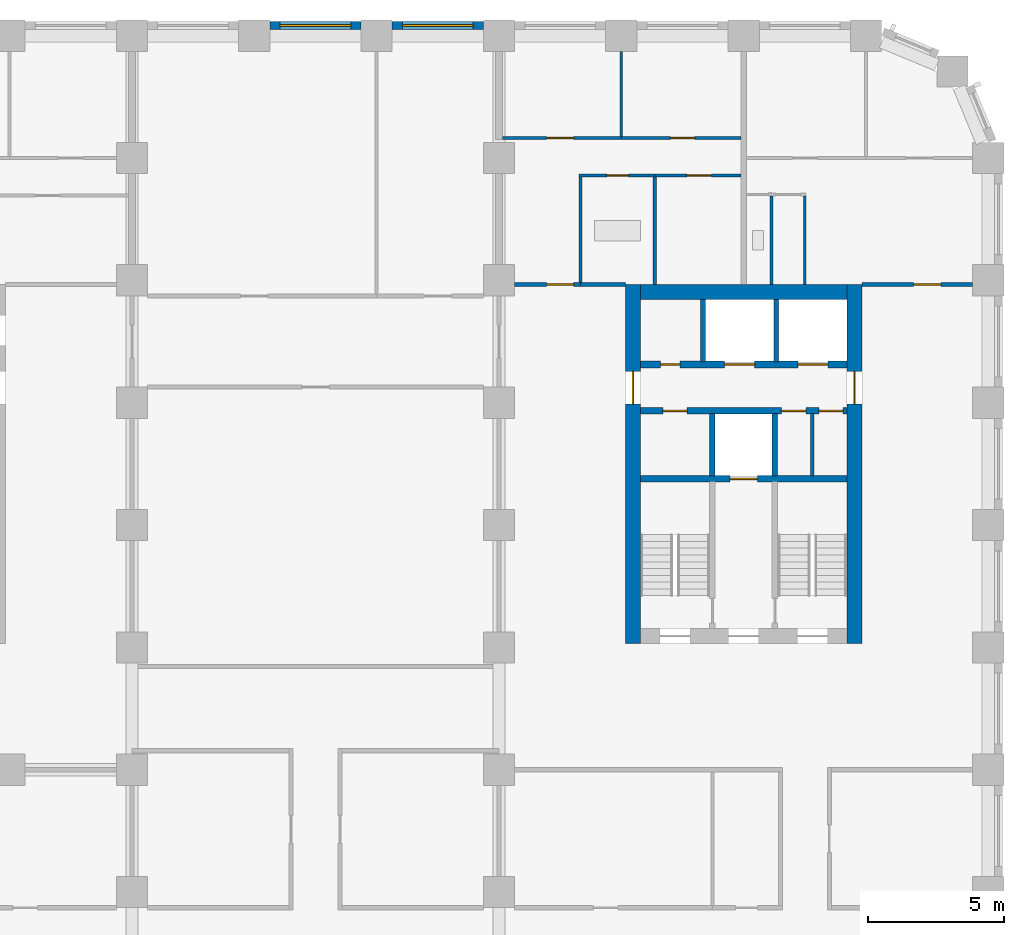
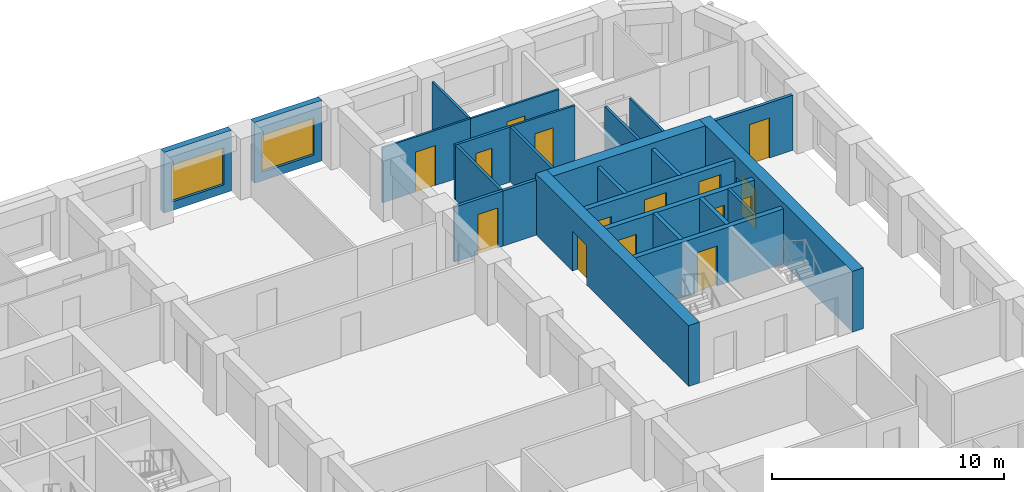
# One storey, part 8 of 12: 25 walls, 15 doors, 2 windows, 17 openings.
"""IFC4 building model written with IfcOpenShell, lengths in metres."""

import ifcopenshell
import ifcopenshell.guid

model = None  # the IFC model being written
_history = None  # IfcOwnerHistory: only IFC2X3 demands one
_inside = {}  # id of a spatial element -> (the spatial element, [elements in it])
_under = {}  # id of a project, library or spatial element -> (it, [spatial elements below it])
_declared = {}  # id of a project -> (the project, [libraries it declares])
_typed = {}  # id of a type object -> (the type object, [elements of that type])
_made_of = {}  # id of a material, layer set ... -> (it, [elements and type objects made of it])


def new_model(schema):
    """Start an empty IFC model of exactly this schema.

    Asked for "IFC4X3", IfcOpenShell would pick the latest addendum, in which some entities
    have other attributes; the version numbers below select the first issue.
    IFC2X3 requires an IfcOwnerHistory on every rooted entity: one is made here for all.
    """
    global model, _history
    if schema == "IFC4X3":
        model = ifcopenshell.file(schema_version=(4, 3, 0, 0))
    else:
        model = ifcopenshell.file(schema=schema)
    _inside.clear()
    _under.clear()
    _declared.clear()
    _typed.clear()
    _made_of.clear()
    _history = None
    if model.schema == "IFC2X3":
        org = make("IfcOrganization", Name="unknown")
        user = make(
            "IfcPersonAndOrganization",
            ThePerson=make("IfcPerson", FamilyName="unknown"),
            TheOrganization=org,
        )
        app = make(
            "IfcApplication",
            ApplicationDeveloper=org,
            Version="unknown",
            ApplicationFullName="unknown",
            ApplicationIdentifier="unknown",
        )
        _history = make(
            "IfcOwnerHistory",
            OwningUser=user,
            OwningApplication=app,
            ChangeAction="ADDED",
            CreationDate=0,
        )
    return model


def make(cls, **values):
    """One entity of the class cls with the attributes given. An attribute that is None is left unset."""
    return model.create_entity(
        cls, **{name: value for name, value in values.items() if value is not None}
    )


def rooted(cls, **values):
    """An entity with a GlobalId (a new one), such as an element, a storey or a relation."""
    return make(cls, GlobalId=ifcopenshell.guid.new(), OwnerHistory=_history, **values)


def si_unit(unit_type, name, prefix=None):
    """IfcSIUnit, for example si_unit("LENGTHUNIT", "METRE", prefix="MILLI")."""
    return make("IfcSIUnit", UnitType=unit_type, Prefix=prefix, Name=name)


def assignment(units):
    """IfcUnitAssignment: the units of a project."""
    return None if units is None else make("IfcUnitAssignment", Units=units)


def point(xyz):
    """IfcCartesianPoint."""
    return None if xyz is None else make("IfcCartesianPoint", Coordinates=xyz)


def direction(xyz):
    """IfcDirection."""
    return None if xyz is None else make("IfcDirection", DirectionRatios=xyz)


def frame(location, z_axis=None, x_axis=None):
    """IfcAxis2Placement3D, a coordinate frame: its origin and axes. An axis left out is left unset."""
    return make(
        "IfcAxis2Placement3D",
        Location=point(location),
        Axis=direction(z_axis),
        RefDirection=direction(x_axis),
    )


def frame_2d(location, x_axis=None):
    """IfcAxis2Placement2D, a coordinate frame in the plane: its origin and x axis."""
    return make(
        "IfcAxis2Placement2D", Location=point(location), RefDirection=direction(x_axis)
    )


def origin():
    """The frame at (0, 0, 0) with its axes left unset."""
    return frame((0.0, 0.0, 0.0))


def place(relative_to, where):
    """IfcLocalPlacement: puts the frame where relative to a parent placement (None: the world)."""
    return make(
        "IfcLocalPlacement", PlacementRelTo=relative_to, RelativePlacement=where
    )


def context(
    kind, dimensions, precision=None, world=None, true_north=None, identifier=None
):
    """IfcGeometricRepresentationContext, for example the 3D "Model" context."""
    return make(
        "IfcGeometricRepresentationContext",
        ContextIdentifier=identifier,
        ContextType=kind,
        CoordinateSpaceDimension=dimensions,
        Precision=precision,
        WorldCoordinateSystem=world,
        TrueNorth=true_north,
    )


def subcontext(parent, identifier, kind, view, scale=None):
    """IfcGeometricRepresentationSubContext, for example "Body" below "Model"."""
    return make(
        "IfcGeometricRepresentationSubContext",
        ContextIdentifier=identifier,
        ContextType=kind,
        ParentContext=parent,
        TargetScale=scale,
        TargetView=view,
    )


def project(units=None, contexts=None):
    """IfcProject with its units and contexts."""
    return rooted(
        "IfcProject",
        Name="project",
        RepresentationContexts=contexts,
        UnitsInContext=assignment(units),
    )


def spatial(cls, under=None, at=None, **own):
    """A site, building, storey or space (cls), placed at a placement, below another one or the project."""
    s = rooted(cls, ObjectPlacement=at, **own)
    if under is not None:
        _under.setdefault(under.id(), (under, []))[1].append(s)
    return s


def profile(cls, at=None, kind="AREA", **sizes):
    """A parametric profile (cls). Its sizes go by their IFC names, for example OverallWidth=200.0."""
    return make(cls, ProfileType=kind, Position=at, **sizes)


def rectangle(**sizes):
    """IfcRectangleProfileDef."""
    return profile("IfcRectangleProfileDef", **sizes)


def extrude(swept, where, along, depth):
    """IfcExtrudedAreaSolid: the profile swept, set in the frame where, extruded along a direction by depth."""
    return make(
        "IfcExtrudedAreaSolid",
        SweptArea=swept,
        Position=where,
        ExtrudedDirection=direction(along),
        Depth=depth,
    )


def shape(context_of_items, identifier, shape_type, items):
    """IfcShapeRepresentation: the items that make up one representation, for example the "Body"."""
    return make(
        "IfcShapeRepresentation",
        ContextOfItems=context_of_items,
        RepresentationIdentifier=identifier,
        RepresentationType=shape_type,
        Items=items,
    )


def material(Name=None, Category=None):
    """IfcMaterial."""
    return make("IfcMaterial", Name=Name, Category=Category)


def layer(
    of_material, thickness, ventilated=None, Name=None, Category=None, Priority=None
):
    """IfcMaterialLayer: one layer of a wall or slab, of a material (None: an air gap)."""
    return make(
        "IfcMaterialLayer",
        Material=of_material,
        LayerThickness=thickness,
        IsVentilated=ventilated,
        Name=Name,
        Category=Category,
        Priority=Priority,
    )


def layer_set(layers, Name=None):
    """IfcMaterialLayerSet."""
    return make("IfcMaterialLayerSet", MaterialLayers=layers, LayerSetName=Name)


def made_of(thing, what):
    """Note that an element or type object is made of a material, layer set ...; save() writes the relation."""
    if what is not None:
        _made_of.setdefault(what.id(), (what, []))[1].append(thing)
    return thing


def type_object(cls, material=None, **own):
    """A type object (cls), such as IfcWallType, which elements share."""
    return made_of(rooted(cls, **own), material)


def element(
    cls,
    number,
    at=None,
    inside=None,
    cuts=None,
    type_object=None,
    material=None,
    context=None,
    identifier="Body",
    shape_type=None,
    held_by="IfcProductDefinitionShape",
    body=None,
    shapes=None,
    **own,
):
    """One element of the class cls, such as IfcWall. Its Tag is "e" and its number.

    at: its placement. inside: the storey or other place that contains it. cuts: it is an
    opening in that element (IfcRelVoidsElement). A single representation is given by context,
    identifier, shape_type and body (its items); several are given by shapes. held_by: the class
    of the entity that holds the representations. save() writes the other relations.
    """
    e = rooted(cls, Tag="e%d" % number, ObjectPlacement=at, **own)
    if body is not None:
        shapes = [shape(context, identifier, shape_type, body)]
    if shapes is not None:
        e.Representation = make(held_by, Representations=shapes)
    if inside is not None:
        _inside.setdefault(inside.id(), (inside, []))[1].append(e)
    if cuts is not None:
        rooted(
            "IfcRelVoidsElement", RelatingBuildingElement=cuts, RelatedOpeningElement=e
        )
    if type_object is not None:
        _typed.setdefault(type_object.id(), (type_object, []))[1].append(e)
    return made_of(e, material)


def fill(opening, filler):
    """IfcRelFillsElement: the door or window that sits in an opening."""
    return rooted(
        "IfcRelFillsElement",
        RelatingOpeningElement=opening,
        RelatedBuildingElement=filler,
    )


def aggregate(whole, parts):
    """IfcRelAggregates: a whole, such as a stair, and the parts it consists of."""
    return rooted("IfcRelAggregates", RelatingObject=whole, RelatedObjects=parts)


def save(model, path):
    """Write the relations noted so far, then the file.

    IfcRelAggregates (storeys below a building ...), IfcRelContainedInSpatialStructure (elements
    in a storey), IfcRelDefinesByType, IfcRelAssociatesMaterial and IfcRelDeclares: one each for
    every whole, place, type object, material and project.
    """
    for whole, parts in _under.values():
        aggregate(whole, parts)
    for where, things in _inside.values():
        rooted(
            "IfcRelContainedInSpatialStructure",
            RelatedElements=things,
            RelatingStructure=where,
        )
    for kind, things in _typed.values():
        rooted("IfcRelDefinesByType", RelatedObjects=things, RelatingType=kind)
    for what, things in _made_of.values():
        rooted("IfcRelAssociatesMaterial", RelatedObjects=things, RelatingMaterial=what)
    for by, libraries in _declared.values():
        rooted("IfcRelDeclares", RelatingContext=by, RelatedDefinitions=libraries)
    model.write(path)


model = new_model("IFC4")

# Units and contexts
model_context = context("Model", 3, precision=1e-05, world=origin(), true_north=direction((0.0, 1.0)))
body_context = subcontext(model_context, "Body", "Model", "MODEL_VIEW")
ifc_project = project(units=[si_unit("LENGTHUNIT", "METRE"), si_unit("AREAUNIT", "SQUARE_METRE"), si_unit("VOLUMEUNIT", "CUBIC_METRE"), si_unit("PLANEANGLEUNIT", "RADIAN"), si_unit("MASSUNIT", "GRAM", prefix="KILO")], contexts=[model_context])

# Site, building, storey
site_placement = place(None, origin())
site = spatial("IfcSite", under=ifc_project, at=site_placement, CompositionType="ELEMENT")
building_placement = place(site_placement, origin())
building = spatial("IfcBuilding", under=site, at=building_placement, Name="Girih Gate Residences", CompositionType="ELEMENT")
storey_placement = place(building_placement, frame((0.0, 0.0, 108.800048828125)))
storey = spatial("IfcBuildingStorey", under=building, at=storey_placement, Name="L30", CompositionType="ELEMENT", Elevation=108.800048828125)

# Wall, opening, door
ifc_material_1 = material(Name="Gypsum board on steel studs", Category="steel")
ifc_layer_1 = layer(ifc_material_1, 0.14990234375)
ifc_layer_set_1 = layer_set([ifc_layer_1], Name="Compartment wall 150 mm")
wall_type_1 = type_object("IfcWallType", Name="Compartment wall 150 mm", PredefinedType="PARTITIONING", material=ifc_layer_set_1)
wall_1_placement = place(storey_placement, frame((44.85009765625, 40.35009765625, 0.0), z_axis=(0.0, 0.0, 1.0), x_axis=(1.0, 0.0, 0.0)))
wall_1 = element("IfcWall", 1, at=wall_1_placement, inside=storey, type_object=wall_type_1, Name="L30 partition", PredefinedType="PARTITIONING", context=body_context, shape_type="SweptSolid", body=[
    extrude(rectangle(XDim=4.074951171875, YDim=0.14990234375, at=frame_2d((2.03759765625, 0.0))), origin(), (0.0, 0.0, 1.0), 2.89990234375),
])
opening_1_placement = place(wall_1_placement, frame((1.89990234375, 0.0, 0.0)))
opening_1 = element("IfcOpeningElement", 2, at=opening_1_placement, cuts=wall_1, Name="Opening A30-033", PredefinedType="OPENING", context=body_context, shape_type="SweptSolid", body=[
    extrude(rectangle(XDim=1.0, YDim=2.10009765625, at=frame_2d((0.5, 1.050048828125))), frame((0.0, 0.0849609375, 0.0), z_axis=(0.0, -1.0, 0.0), x_axis=(1.0, 0.0, 0.0)), (0.0, 0.0, 1.0), 0.169921875),
])
ifc_material_2 = material(Name="Timber, fire-rated core", Category="wood")
door_type_1 = type_object("IfcDoorType", Name="Flat entrance door 1000x2100 FD30S", OperationType="NOTDEFINED", PredefinedType="DOOR", material=ifc_material_2)
door_1_placement = place(opening_1_placement, origin())
door_1 = element("IfcDoor", 3, at=door_1_placement, inside=storey, type_object=door_type_1, Name="Door A30-033", OperationType="SINGLE_SWING_RIGHT", OverallHeight=2.10009765625, OverallWidth=1.0, PredefinedType="DOOR", context=body_context, shape_type="SweptSolid", body=[
    extrude(rectangle(XDim=1.0, YDim=2.10009765625, at=frame_2d((0.5, 1.050048828125))), frame((0.0, 0.02490234375, 0.0), z_axis=(0.0, -1.0, 0.0), x_axis=(1.0, 0.0, 0.0)), (0.0, 0.0, 1.0), 0.050048828125),
])
fill(opening_1, door_1)

# Wall
wall_2_placement = place(storey_placement, frame((34.5, 40.35009765625, 0.0), z_axis=(0.0, 0.0, 1.0), x_axis=(1.0, 0.0, 0.0)))
element("IfcWall", 4, at=wall_2_placement, inside=storey, type_object=wall_type_1, Name="L30 partition", PredefinedType="PARTITIONING", context=body_context, shape_type="SweptSolid", body=[
    extrude(rectangle(XDim=1.64990234375, YDim=0.14990234375, at=frame_2d((0.824951171875, 0.0))), origin(), (0.0, 0.0, 1.0), 2.89990234375),
])

# Wall, opening, door
wall_3_placement = place(storey_placement, frame((32.074951171875, 40.35009765625, 0.0), z_axis=(0.0, 0.0, 1.0), x_axis=(1.0, 0.0, 0.0)))
wall_3 = element("IfcWall", 5, at=wall_3_placement, inside=storey, type_object=wall_type_1, Name="L30 partition", PredefinedType="PARTITIONING", context=body_context, shape_type="SweptSolid", body=[
    extrude(rectangle(XDim=2.425048828125, YDim=0.14990234375, at=frame_2d((1.21240234375, 0.0))), origin(), (0.0, 0.0, 1.0), 2.89990234375),
])
opening_2_placement = place(wall_3_placement, frame((1.175048828125, 0.0, 0.0)))
opening_2 = element("IfcOpeningElement", 6, at=opening_2_placement, cuts=wall_3, Name="Opening A30-038", PredefinedType="OPENING", context=body_context, shape_type="SweptSolid", body=[
    extrude(rectangle(XDim=1.0, YDim=2.10009765625, at=frame_2d((0.5, 1.050048828125))), frame((0.0, 0.0849609375, 0.0), z_axis=(0.0, -1.0, 0.0), x_axis=(1.0, 0.0, 0.0)), (0.0, 0.0, 1.0), 0.169921875),
])
door_2_placement = place(opening_2_placement, origin())
door_2 = element("IfcDoor", 7, at=door_2_placement, inside=storey, type_object=door_type_1, Name="Door A30-038", OperationType="SINGLE_SWING_RIGHT", OverallHeight=2.10009765625, OverallWidth=1.0, PredefinedType="DOOR", context=body_context, shape_type="SweptSolid", body=[
    extrude(rectangle(XDim=1.0, YDim=2.10009765625, at=frame_2d((0.5, 1.050048828125))), frame((0.0, 0.02490234375, 0.0), z_axis=(0.0, -1.0, 0.0), x_axis=(1.0, 0.0, 0.0)), (0.0, 0.0, 1.0), 0.050048828125),
])
fill(opening_2, door_2)

# Wall
ifc_material_3 = material(Name="Concrete C60/75", Category="concrete")
ifc_layer_2 = layer(ifc_material_3, 0.550048828125)
ifc_layer_set_2 = layer_set([ifc_layer_2], Name="Core wall RC 550 Concrete C60/75")
wall_type_2 = type_object("IfcWallType", Name="Core wall RC 550 Concrete C60/75", PredefinedType="SOLIDWALL", material=ifc_layer_set_2)
wall_4_placement = place(storey_placement, frame((36.699951171875, 40.074951171875, 0.0), z_axis=(0.0, 0.0, 1.0), x_axis=(1.0, 0.0, 0.0)))
element("IfcWall", 8, at=wall_4_placement, inside=storey, type_object=wall_type_2, Name="Core wall E-N L30", PredefinedType="SOLIDWALL", context=body_context, shape_type="SweptSolid", body=[
    extrude(rectangle(XDim=7.60009765625, YDim=0.550048828125, at=frame_2d((3.800048828125, 0.0))), origin(), (0.0, 0.0, 1.0), 3.199951171875),
])

# Wall, opening, door
wall_5_placement = place(storey_placement, frame((36.425048828125, 27.14990234375, 0.0), z_axis=(0.0, 0.0, 1.0), x_axis=(0.0, 1.0, 0.0)))
wall_5 = element("IfcWall", 9, at=wall_5_placement, inside=storey, type_object=wall_type_2, Name="Core wall E-W L30", PredefinedType="SOLIDWALL", context=body_context, shape_type="SweptSolid", body=[
    extrude(rectangle(XDim=13.2001953125, YDim=0.550048828125, at=frame_2d((6.60009765625, 0.0))), origin(), (0.0, 0.0, 1.0), 3.199951171875),
])
opening_3_placement = place(wall_5_placement, frame((8.800048828125, 0.0, 0.0)))
opening_3 = element("IfcOpeningElement", 10, at=opening_3_placement, cuts=wall_5, Name="Opening D-L30-E-013", PredefinedType="OPENING", context=body_context, shape_type="SweptSolid", body=[
    extrude(rectangle(XDim=1.199951171875, YDim=2.10009765625, at=frame_2d((0.60009765625, 1.050048828125))), frame((0.0, 0.284912109375, 0.0), z_axis=(0.0, -1.0, 0.0), x_axis=(1.0, 0.0, 0.0)), (0.0, 0.0, 1.0), 0.570068359375),
])
ifc_material_4 = material(Name="Painted steel, fire-resisting", Category="steel")
door_type_2 = type_object("IfcDoorType", Name="Fire door 1200x2100", OperationType="SINGLE_SWING_LEFT", PredefinedType="DOOR", material=ifc_material_4)
door_3_placement = place(opening_3_placement, origin())
door_3 = element("IfcDoor", 11, at=door_3_placement, inside=storey, type_object=door_type_2, Name="L30 E core door ll-w", OperationType="SINGLE_SWING_LEFT", OverallHeight=2.10009765625, OverallWidth=1.199951171875, PredefinedType="DOOR", context=body_context, shape_type="SweptSolid", body=[
    extrude(rectangle(XDim=1.199951171875, YDim=2.10009765625, at=frame_2d((0.60009765625, 1.050048828125))), frame((0.0, 0.02490234375, 0.0), z_axis=(0.0, -1.0, 0.0), x_axis=(1.0, 0.0, 0.0)), (0.0, 0.0, 1.0), 0.050048828125),
])
fill(opening_3, door_3)

wall_6_placement = place(storey_placement, frame((44.574951171875, 27.14990234375, 0.0), z_axis=(0.0, 0.0, 1.0), x_axis=(0.0, 1.0, 0.0)))
wall_6 = element("IfcWall", 12, at=wall_6_placement, inside=storey, type_object=wall_type_2, Name="Core wall E-E L30", PredefinedType="SOLIDWALL", context=body_context, shape_type="SweptSolid", body=[
    extrude(rectangle(XDim=13.2001953125, YDim=0.550048828125, at=frame_2d((6.60009765625, 0.0))), origin(), (0.0, 0.0, 1.0), 3.199951171875),
])
opening_4_placement = place(wall_6_placement, frame((8.800048828125, 0.0, 0.0)))
opening_4 = element("IfcOpeningElement", 13, at=opening_4_placement, cuts=wall_6, Name="Opening D-L30-E-014", PredefinedType="OPENING", context=body_context, shape_type="SweptSolid", body=[
    extrude(rectangle(XDim=1.199951171875, YDim=2.10009765625, at=frame_2d((0.60009765625, 1.050048828125))), frame((0.0, 0.284912109375, 0.0), z_axis=(0.0, -1.0, 0.0), x_axis=(1.0, 0.0, 0.0)), (0.0, 0.0, 1.0), 0.570068359375),
])
door_4_placement = place(opening_4_placement, origin())
door_4 = element("IfcDoor", 14, at=door_4_placement, inside=storey, type_object=door_type_2, Name="L30 E core door ll-e", OperationType="SINGLE_SWING_LEFT", OverallHeight=2.10009765625, OverallWidth=1.199951171875, PredefinedType="DOOR", context=body_context, shape_type="SweptSolid", body=[
    extrude(rectangle(XDim=1.199951171875, YDim=2.10009765625, at=frame_2d((0.60009765625, 1.050048828125))), frame((0.0, 0.02490234375, 0.0), z_axis=(0.0, -1.0, 0.0), x_axis=(1.0, 0.0, 0.0)), (0.0, 0.0, 1.0), 0.050048828125),
])
fill(opening_4, door_4)

ifc_material_5 = material(Name="Concrete C40/50", Category="concrete")
ifc_layer_3 = layer(ifc_material_5, 0.25)
ifc_layer_set_3 = layer_set([ifc_layer_3], Name="Lift shaft wall 250")
wall_type_3 = type_object("IfcWallType", Name="Lift shaft wall 250", PredefinedType="SOLIDWALL", material=ifc_layer_set_3)
wall_7_placement = place(storey_placement, frame((36.699951171875, 33.199951171875, 0.0), z_axis=(0.0, 0.0, 1.0), x_axis=(1.0, 0.0, 0.0)))
wall_7 = element("IfcWall", 15, at=wall_7_placement, inside=storey, type_object=wall_type_3, Name="L30 E core wall H1", PredefinedType="SOLIDWALL", context=body_context, shape_type="SweptSolid", body=[
    extrude(rectangle(XDim=7.60009765625, YDim=0.25, at=frame_2d((3.800048828125, 0.0))), origin(), (0.0, 0.0, 1.0), 2.89990234375),
])
opening_5_placement = place(wall_7_placement, frame((3.300048828125, 0.0, 0.0)))
opening_5 = element("IfcOpeningElement", 16, at=opening_5_placement, cuts=wall_7, Name="Opening D-L30-E-005", PredefinedType="OPENING", context=body_context, shape_type="SweptSolid", body=[
    extrude(rectangle(XDim=1.0, YDim=2.10009765625, at=frame_2d((0.5, 1.050048828125))), frame((0.0, 0.135009765625, 0.0), z_axis=(0.0, -1.0, 0.0), x_axis=(1.0, 0.0, 0.0)), (0.0, 0.0, 1.0), 0.27001953125),
])
ifc_material_6 = material(Name="Stainless steel, fire-resisting", Category="steel")
door_type_3 = type_object("IfcDoorType", Name="Firefighting lift landing door 1000x2100", OperationType="SLIDING_TO_LEFT", PredefinedType="DOOR", material=ifc_material_6)
door_5_placement = place(opening_5_placement, origin())
door_5 = element("IfcDoor", 17, at=door_5_placement, inside=storey, type_object=door_type_3, Name="L30 lift FF-E landing door", OperationType="SLIDING_TO_LEFT", OverallHeight=2.10009765625, OverallWidth=1.0, PredefinedType="DOOR", context=body_context, shape_type="SweptSolid", body=[
    extrude(rectangle(XDim=1.0, YDim=2.10009765625, at=frame_2d((0.5, 1.050048828125))), frame((0.0, 0.02490234375, 0.0), z_axis=(0.0, -1.0, 0.0), x_axis=(1.0, 0.0, 0.0)), (0.0, 0.0, 1.0), 0.050048828125),
])
fill(opening_5, door_5)

# Wall, openings, doors
wall_8_placement = place(storey_placement, frame((36.699951171875, 35.699951171875, 0.0), z_axis=(0.0, 0.0, 1.0), x_axis=(1.0, 0.0, 0.0)))
wall_8 = element("IfcWall", 18, at=wall_8_placement, inside=storey, type_object=wall_type_3, Name="L30 E core wall H2", PredefinedType="SOLIDWALL", context=body_context, shape_type="SweptSolid", body=[
    extrude(rectangle(XDim=7.60009765625, YDim=0.25, at=frame_2d((3.800048828125, 0.0))), origin(), (0.0, 0.0, 1.0), 2.89990234375),
])
opening_6_placement = place(wall_8_placement, frame((6.5625, 0.0, 0.0)))
opening_6 = element("IfcOpeningElement", 19, at=opening_6_placement, cuts=wall_8, Name="Opening D-L30-E-007", PredefinedType="OPENING", context=body_context, shape_type="SweptSolid", body=[
    extrude(rectangle(XDim=0.89990234375, YDim=2.10009765625, at=frame_2d((0.449951171875, 1.050048828125))), frame((0.0, 0.135009765625, 0.0), z_axis=(0.0, -1.0, 0.0), x_axis=(1.0, 0.0, 0.0)), (0.0, 0.0, 1.0), 0.27001953125),
])
opening_7_placement = place(wall_8_placement, frame((5.1875, 0.0, 0.0)))
opening_7 = element("IfcOpeningElement", 20, at=opening_7_placement, cuts=wall_8, Name="Opening D-L30-E-008", PredefinedType="OPENING", context=body_context, shape_type="SweptSolid", body=[
    extrude(rectangle(XDim=0.89990234375, YDim=2.10009765625, at=frame_2d((0.449951171875, 1.050048828125))), frame((0.0, 0.135009765625, 0.0), z_axis=(0.0, -1.0, 0.0), x_axis=(1.0, 0.0, 0.0)), (0.0, 0.0, 1.0), 0.27001953125),
])
opening_8_placement = place(wall_8_placement, frame((0.824951171875, 0.0, 0.0)))
opening_8 = element("IfcOpeningElement", 21, at=opening_8_placement, cuts=wall_8, Name="Opening D-L30-E-009", PredefinedType="OPENING", context=body_context, shape_type="SweptSolid", body=[
    extrude(rectangle(XDim=0.89990234375, YDim=2.10009765625, at=frame_2d((0.449951171875, 1.050048828125))), frame((0.0, 0.135009765625, 0.0), z_axis=(0.0, -1.0, 0.0), x_axis=(1.0, 0.0, 0.0)), (0.0, 0.0, 1.0), 0.27001953125),
])
door_type_4 = type_object("IfcDoorType", Name="Fire door 900x2100", OperationType="SINGLE_SWING_LEFT", PredefinedType="DOOR", material=ifc_material_4)
door_6_placement = place(opening_6_placement, origin())
door_6 = element("IfcDoor", 22, at=door_6_placement, inside=storey, type_object=door_type_4, Name="L30 E linen store door", OperationType="SINGLE_SWING_LEFT", OverallHeight=2.10009765625, OverallWidth=0.89990234375, PredefinedType="DOOR", context=body_context, shape_type="SweptSolid", body=[
    extrude(rectangle(XDim=0.89990234375, YDim=2.10009765625, at=frame_2d((0.449951171875, 1.050048828125))), frame((0.0, 0.02490234375, 0.0), z_axis=(0.0, -1.0, 0.0), x_axis=(1.0, 0.0, 0.0)), (0.0, 0.0, 1.0), 0.050048828125),
])
fill(opening_6, door_6)
door_7_placement = place(opening_7_placement, origin())
door_7 = element("IfcDoor", 23, at=door_7_placement, inside=storey, type_object=door_type_4, Name="L30 E store door", OperationType="SINGLE_SWING_LEFT", OverallHeight=2.10009765625, OverallWidth=0.89990234375, PredefinedType="DOOR", context=body_context, shape_type="SweptSolid", body=[
    extrude(rectangle(XDim=0.89990234375, YDim=2.10009765625, at=frame_2d((0.449951171875, 1.050048828125))), frame((0.0, 0.02490234375, 0.0), z_axis=(0.0, -1.0, 0.0), x_axis=(1.0, 0.0, 0.0)), (0.0, 0.0, 1.0), 0.050048828125),
])
fill(opening_7, door_7)
door_8_placement = place(opening_8_placement, origin())
door_8 = element("IfcDoor", 24, at=door_8_placement, inside=storey, type_object=door_type_4, Name="L30 E housekeeping store door", OperationType="SINGLE_SWING_LEFT", OverallHeight=2.10009765625, OverallWidth=0.89990234375, PredefinedType="DOOR", context=body_context, shape_type="SweptSolid", body=[
    extrude(rectangle(XDim=0.89990234375, YDim=2.10009765625, at=frame_2d((0.449951171875, 1.050048828125))), frame((0.0, 0.02490234375, 0.0), z_axis=(0.0, -1.0, 0.0), x_axis=(1.0, 0.0, 0.0)), (0.0, 0.0, 1.0), 0.050048828125),
])
fill(opening_8, door_8)

wall_9_placement = place(storey_placement, frame((36.699951171875, 37.39990234375, 0.0), z_axis=(0.0, 0.0, 1.0), x_axis=(1.0, 0.0, 0.0)))
wall_9 = element("IfcWall", 25, at=wall_9_placement, inside=storey, type_object=wall_type_3, Name="L30 E core wall H3", PredefinedType="SOLIDWALL", context=body_context, shape_type="SweptSolid", body=[
    extrude(rectangle(XDim=7.60009765625, YDim=0.25, at=frame_2d((3.800048828125, 0.0))), origin(), (0.0, 0.0, 1.0), 2.89990234375),
])
opening_9_placement = place(wall_9_placement, frame((5.800048828125, 0.0, 0.0)))
opening_9 = element("IfcOpeningElement", 26, at=opening_9_placement, cuts=wall_9, Name="Opening D-L30-E-003", PredefinedType="OPENING", context=body_context, shape_type="SweptSolid", body=[
    extrude(rectangle(XDim=1.10009765625, YDim=2.39990234375, at=frame_2d((0.550048828125, 1.199951171875))), frame((0.0, 0.135009765625, 0.0), z_axis=(0.0, -1.0, 0.0), x_axis=(1.0, 0.0, 0.0)), (0.0, 0.0, 1.0), 0.27001953125),
])
opening_10_placement = place(wall_9_placement, frame((3.10009765625, 0.0, 0.0)))
opening_10 = element("IfcOpeningElement", 27, at=opening_10_placement, cuts=wall_9, Name="Opening D-L30-E-004", PredefinedType="OPENING", context=body_context, shape_type="SweptSolid", body=[
    extrude(rectangle(XDim=1.10009765625, YDim=2.39990234375, at=frame_2d((0.550048828125, 1.199951171875))), frame((0.0, 0.135009765625, 0.0), z_axis=(0.0, -1.0, 0.0), x_axis=(1.0, 0.0, 0.0)), (0.0, 0.0, 1.0), 0.27001953125),
])
opening_11_placement = place(wall_9_placement, frame((0.75, 0.0, 0.0)))
opening_11 = element("IfcOpeningElement", 28, at=opening_11_placement, cuts=wall_9, Name="Opening D-L30-E-006", PredefinedType="OPENING", context=body_context, shape_type="SweptSolid", body=[
    extrude(rectangle(XDim=0.699951171875, YDim=2.10009765625, at=frame_2d((0.35009765625, 1.050048828125))), frame((0.0, 0.135009765625, 0.0), z_axis=(0.0, -1.0, 0.0), x_axis=(1.0, 0.0, 0.0)), (0.0, 0.0, 1.0), 0.27001953125),
])
ifc_material_7 = material(Name="Stainless steel", Category="steel")
door_type_5 = type_object("IfcDoorType", Name="Lift landing door 1100x2400", OperationType="SLIDING_TO_LEFT", PredefinedType="DOOR", material=ifc_material_7)
door_9_placement = place(opening_9_placement, origin())
door_9 = element("IfcDoor", 29, at=door_9_placement, inside=storey, type_object=door_type_5, Name="L30 lift LR-E1 landing door", OperationType="SLIDING_TO_LEFT", OverallHeight=2.39990234375, OverallWidth=1.10009765625, PredefinedType="DOOR", context=body_context, shape_type="SweptSolid", body=[
    extrude(rectangle(XDim=1.10009765625, YDim=2.39990234375, at=frame_2d((0.550048828125, 1.199951171875))), frame((0.0, 0.02490234375, 0.0), z_axis=(0.0, -1.0, 0.0), x_axis=(1.0, 0.0, 0.0)), (0.0, 0.0, 1.0), 0.050048828125),
])
fill(opening_9, door_9)
door_10_placement = place(opening_10_placement, origin())
door_10 = element("IfcDoor", 30, at=door_10_placement, inside=storey, type_object=door_type_5, Name="L30 lift LR-E2 landing door", OperationType="SLIDING_TO_LEFT", OverallHeight=2.39990234375, OverallWidth=1.10009765625, PredefinedType="DOOR", context=body_context, shape_type="SweptSolid", body=[
    extrude(rectangle(XDim=1.10009765625, YDim=2.39990234375, at=frame_2d((0.550048828125, 1.199951171875))), frame((0.0, 0.02490234375, 0.0), z_axis=(0.0, -1.0, 0.0), x_axis=(1.0, 0.0, 0.0)), (0.0, 0.0, 1.0), 0.050048828125),
])
fill(opening_10, door_10)
door_type_6 = type_object("IfcDoorType", Name="Riser access door 700x2100", OperationType="SINGLE_SWING_LEFT", PredefinedType="DOOR", material=ifc_material_4)
door_11_placement = place(opening_11_placement, origin())
door_11 = element("IfcDoor", 31, at=door_11_placement, inside=storey, type_object=door_type_6, Name="L30 E riser room door", OperationType="SINGLE_SWING_LEFT", OverallHeight=2.10009765625, OverallWidth=0.699951171875, PredefinedType="DOOR", context=body_context, shape_type="SweptSolid", body=[
    extrude(rectangle(XDim=0.699951171875, YDim=2.10009765625, at=frame_2d((0.35009765625, 1.050048828125))), frame((0.0, 0.02490234375, 0.0), z_axis=(0.0, -1.0, 0.0), x_axis=(1.0, 0.0, 0.0)), (0.0, 0.0, 1.0), 0.050048828125),
])
fill(opening_11, door_11)

# Wall
ifc_layer_4 = layer(ifc_material_1, 0.10009765625)
ifc_layer_set_4 = layer_set([ifc_layer_4], Name="Partition 100 mm")
wall_type_4 = type_object("IfcWallType", Name="Partition 100 mm", PredefinedType="PARTITIONING", material=ifc_layer_set_4)
wall_10_placement = place(storey_placement, frame((42.75, 40.35009765625, 0.0), z_axis=(0.0, 0.0, 1.0), x_axis=(0.0, 1.0, 0.0)))
element("IfcWall", 32, at=wall_10_placement, inside=storey, type_object=wall_type_4, Name="L30 partition", PredefinedType="PARTITIONING", context=body_context, shape_type="SweptSolid", body=[
    extrude(rectangle(XDim=3.260009765625, YDim=0.10009765625, at=frame_2d((1.6298828125, 0.0))), origin(), (0.0, 0.0, 1.0), 2.89990234375),
])

# Wall, opening, door
wall_11_placement = place(storey_placement, frame((36.0, 45.735107421875, 0.0), z_axis=(0.0, 0.0, 1.0), x_axis=(1.0, 0.0, 0.0)))
wall_11 = element("IfcWall", 33, at=wall_11_placement, inside=storey, type_object=wall_type_4, Name="L30 partition", PredefinedType="PARTITIONING", context=body_context, shape_type="SweptSolid", body=[
    extrude(rectangle(XDim=4.39990234375, YDim=0.10009765625, at=frame_2d((2.199951171875, 0.0))), origin(), (0.0, 0.0, 1.0), 2.89990234375),
])
opening_12_placement = place(wall_11_placement, frame((1.800048828125, 0.0, 0.0)))
opening_12 = element("IfcOpeningElement", 34, at=opening_12_placement, cuts=wall_11, Name="Opening A30-035", PredefinedType="OPENING", context=body_context, shape_type="SweptSolid", body=[
    extrude(rectangle(XDim=0.89990234375, YDim=2.10009765625, at=frame_2d((0.449951171875, 1.050048828125))), frame((0.0, 0.06005859375, 0.0), z_axis=(0.0, -1.0, 0.0), x_axis=(1.0, 0.0, 0.0)), (0.0, 0.0, 1.0), 0.1201171875),
])
ifc_material_8 = material(Name="Timber", Category="wood")
door_type_7 = type_object("IfcDoorType", Name="Bedroom door 900x2100", OperationType="NOTDEFINED", PredefinedType="DOOR", material=ifc_material_8)
door_12_placement = place(opening_12_placement, origin())
door_12 = element("IfcDoor", 35, at=door_12_placement, inside=storey, type_object=door_type_7, Name="Door A30-035", OperationType="SINGLE_SWING_RIGHT", OverallHeight=2.10009765625, OverallWidth=0.89990234375, PredefinedType="DOOR", context=body_context, shape_type="SweptSolid", body=[
    extrude(rectangle(XDim=0.89990234375, YDim=2.10009765625, at=frame_2d((0.449951171875, 1.050048828125))), frame((0.0, 0.02490234375, 0.0), z_axis=(0.0, -1.0, 0.0), x_axis=(1.0, 0.0, 0.0)), (0.0, 0.0, 1.0), 0.050048828125),
])
fill(opening_12, door_12)

# Wall
wall_12_placement = place(storey_placement, frame((36.0, 45.784912109375, 0.0), z_axis=(0.0, 0.0, 1.0), x_axis=(0.0, 1.0, 0.0)))
element("IfcWall", 36, at=wall_12_placement, inside=storey, type_object=wall_type_4, Name="L30 partition", PredefinedType="PARTITIONING", context=body_context, shape_type="SweptSolid", body=[
    extrude(rectangle(XDim=3.14013671875, YDim=0.10009765625, at=frame_2d((1.570068359375, 0.0))), origin(), (0.0, 0.0, 1.0), 2.89990234375),
])

# Wall, opening, door
wall_13_placement = place(storey_placement, frame((40.39990234375, 44.35498046875, 0.0), z_axis=(0.0, 0.0, 1.0), x_axis=(-1.0, 0.0, 0.0)))
wall_13 = element("IfcWall", 37, at=wall_13_placement, inside=storey, type_object=wall_type_4, Name="L30 partition", PredefinedType="PARTITIONING", context=body_context, shape_type="SweptSolid", body=[
    extrude(rectangle(XDim=3.16845703125, YDim=0.10009765625, at=frame_2d((1.584228515625, 0.0))), origin(), (0.0, 0.0, 1.0), 2.89990234375),
])
opening_13_placement = place(wall_13_placement, frame((1.084228515625, 0.0, 0.0)))
opening_13 = element("IfcOpeningElement", 38, at=opening_13_placement, cuts=wall_13, Name="Opening A30-036", PredefinedType="OPENING", context=body_context, shape_type="SweptSolid", body=[
    extrude(rectangle(XDim=0.89990234375, YDim=2.10009765625, at=frame_2d((0.449951171875, 1.050048828125))), frame((0.0, 0.06005859375, 0.0), z_axis=(0.0, -1.0, 0.0), x_axis=(1.0, 0.0, 0.0)), (0.0, 0.0, 1.0), 0.1201171875),
])
door_type_8 = type_object("IfcDoorType", Name="Kitchen door 900x2100", OperationType="NOTDEFINED", PredefinedType="DOOR", material=ifc_material_8)
door_13_placement = place(opening_13_placement, origin())
door_13 = element("IfcDoor", 39, at=door_13_placement, inside=storey, type_object=door_type_8, Name="Door A30-036", OperationType="SINGLE_SWING_LEFT", OverallHeight=2.10009765625, OverallWidth=0.89990234375, PredefinedType="DOOR", context=body_context, shape_type="SweptSolid", body=[
    extrude(rectangle(XDim=0.89990234375, YDim=2.10009765625, at=frame_2d((0.449951171875, 1.050048828125))), frame((0.0, 0.02490234375, 0.0), z_axis=(0.0, -1.0, 0.0), x_axis=(1.0, 0.0, 0.0)), (0.0, 0.0, 1.0), 0.050048828125),
])
fill(opening_13, door_13)

wall_14_placement = place(storey_placement, frame((31.625, 45.735107421875, 0.0), z_axis=(0.0, 0.0, 1.0), x_axis=(1.0, 0.0, 0.0)))
wall_14 = element("IfcWall", 40, at=wall_14_placement, inside=storey, type_object=wall_type_4, Name="L30 partition", PredefinedType="PARTITIONING", context=body_context, shape_type="SweptSolid", body=[
    extrude(rectangle(XDim=4.375, YDim=0.10009765625, at=frame_2d((2.1875, 0.0))), origin(), (0.0, 0.0, 1.0), 2.89990234375),
])
opening_14_placement = place(wall_14_placement, frame((1.625, 0.0, 0.0)))
opening_14 = element("IfcOpeningElement", 41, at=opening_14_placement, cuts=wall_14, Name="Opening A30-037", PredefinedType="OPENING", context=body_context, shape_type="SweptSolid", body=[
    extrude(rectangle(XDim=1.0, YDim=2.10009765625, at=frame_2d((0.5, 1.050048828125))), frame((0.0, 0.06005859375, 0.0), z_axis=(0.0, -1.0, 0.0), x_axis=(1.0, 0.0, 0.0)), (0.0, 0.0, 1.0), 0.1201171875),
])
door_type_9 = type_object("IfcDoorType", Name="Living room door 1000x2100", OperationType="NOTDEFINED", PredefinedType="DOOR", material=ifc_material_8)
door_14_placement = place(opening_14_placement, origin())
door_14 = element("IfcDoor", 42, at=door_14_placement, inside=storey, type_object=door_type_9, Name="Door A30-037", OperationType="SINGLE_SWING_LEFT", OverallHeight=2.10009765625, OverallWidth=1.0, PredefinedType="DOOR", context=body_context, shape_type="SweptSolid", body=[
    extrude(rectangle(XDim=1.0, YDim=2.10009765625, at=frame_2d((0.5, 1.050048828125))), frame((0.0, 0.02490234375, 0.0), z_axis=(0.0, -1.0, 0.0), x_axis=(1.0, 0.0, 0.0)), (0.0, 0.0, 1.0), 0.050048828125),
])
fill(opening_14, door_14)

# Wall, opening, window
ifc_material_9 = material(Name="Precast concrete C50/60", Category="concrete")
ifc_layer_5 = layer(ifc_material_9, 0.080078125, Name="Outer leaf")
ifc_material_10 = material(Name="Rigid PIR insulation")
ifc_layer_6 = layer(ifc_material_10, 0.14990234375, Name="Insulation")
ifc_material_11 = material(Name="Precast concrete C40/50", Category="concrete")
ifc_layer_7 = layer(ifc_material_11, 0.070068359375, Name="Inner leaf")
ifc_layer_set_5 = layer_set([ifc_layer_5, ifc_layer_6, ifc_layer_7], Name="Precast concrete C50/60 external wall 300")
wall_type_5 = type_object("IfcWallType", Name="Precast concrete C50/60 external wall 300", PredefinedType="SOLIDWALL", material=ifc_layer_set_5)
wall_15_placement = place(storey_placement, frame((27.574951171875, 49.875, 0.0), z_axis=(0.0, 0.0, 1.0), x_axis=(1.0, 0.0, 0.0)))
wall_15 = element("IfcWall", 43, at=wall_15_placement, inside=storey, type_object=wall_type_5, Name="External wall N0450_0495.3", PredefinedType="SOLIDWALL", context=body_context, shape_type="SweptSolid", body=[
    extrude(rectangle(XDim=3.35009765625, YDim=0.300048828125, at=frame_2d((1.675048828125, 0.0))), origin(), (0.0, 0.0, 1.0), 3.199951171875),
])
opening_15_placement = place(wall_15_placement, frame((0.375, 0.0, 0.449951171875)))
opening_15 = element("IfcOpeningElement", 44, at=opening_15_placement, cuts=wall_15, Name="Opening W-1A", PredefinedType="OPENING", context=body_context, shape_type="SweptSolid", body=[
    extrude(rectangle(XDim=2.60009765625, YDim=1.949951171875, at=frame_2d((1.300048828125, 0.97509765625))), frame((0.0, 0.159912109375, 0.0), z_axis=(0.0, -1.0, 0.0), x_axis=(1.0, 0.0, 0.0)), (0.0, 0.0, 1.0), 0.320068359375),
])
ifc_material_12 = material(Name="Double glazing in aluminium frame", Category="aluminium")
window_type = type_object("IfcWindowType", Name="Window W-1A 2600x1950", PartitioningType="SINGLE_PANEL", PredefinedType="WINDOW", material=ifc_material_12)
window_1_placement = place(opening_15_placement, origin())
window_1 = element("IfcWindow", 45, at=window_1_placement, inside=storey, type_object=window_type, Name="Window W-1A N0450_0495.3", OverallHeight=1.949951171875, OverallWidth=2.60009765625, PartitioningType="SINGLE_PANEL", PredefinedType="WINDOW", context=body_context, shape_type="SweptSolid", body=[
    extrude(rectangle(XDim=2.60009765625, YDim=1.949951171875, at=frame_2d((1.300048828125, 0.97509765625))), frame((0.0, 0.030029296875, 0.0), z_axis=(0.0, -1.0, 0.0), x_axis=(1.0, 0.0, 0.0)), (0.0, 0.0, 1.0), 0.06005859375),
])
fill(opening_15, window_1)

wall_16_placement = place(storey_placement, frame((23.074951171875, 49.875, 0.0), z_axis=(0.0, 0.0, 1.0), x_axis=(1.0, 0.0, 0.0)))
wall_16 = element("IfcWall", 46, at=wall_16_placement, inside=storey, type_object=wall_type_5, Name="External wall N0450_0495.4", PredefinedType="SOLIDWALL", context=body_context, shape_type="SweptSolid", body=[
    extrude(rectangle(XDim=3.35009765625, YDim=0.300048828125, at=frame_2d((1.675048828125, 0.0))), origin(), (0.0, 0.0, 1.0), 3.199951171875),
])
opening_16_placement = place(wall_16_placement, frame((0.375, 0.0, 0.449951171875)))
opening_16 = element("IfcOpeningElement", 47, at=opening_16_placement, cuts=wall_16, Name="Opening W-1A", PredefinedType="OPENING", context=body_context, shape_type="SweptSolid", body=[
    extrude(rectangle(XDim=2.60009765625, YDim=1.949951171875, at=frame_2d((1.300048828125, 0.97509765625))), frame((0.0, 0.159912109375, 0.0), z_axis=(0.0, -1.0, 0.0), x_axis=(1.0, 0.0, 0.0)), (0.0, 0.0, 1.0), 0.320068359375),
])
window_2_placement = place(opening_16_placement, origin())
window_2 = element("IfcWindow", 48, at=window_2_placement, inside=storey, type_object=window_type, Name="Window W-1A N0450_0495.4", OverallHeight=1.949951171875, OverallWidth=2.60009765625, PartitioningType="SINGLE_PANEL", PredefinedType="WINDOW", context=body_context, shape_type="SweptSolid", body=[
    extrude(rectangle(XDim=2.60009765625, YDim=1.949951171875, at=frame_2d((1.300048828125, 0.97509765625))), frame((0.0, 0.030029296875, 0.0), z_axis=(0.0, -1.0, 0.0), x_axis=(1.0, 0.0, 0.0)), (0.0, 0.0, 1.0), 0.06005859375),
])
fill(opening_16, window_2)

# Walls
ifc_layer_8 = layer(ifc_material_5, 0.175048828125)
ifc_layer_set_6 = layer_set([ifc_layer_8], Name="Riser shaft wall 175")
wall_type_6 = type_object("IfcWallType", Name="Riser shaft wall 175", PredefinedType="SOLIDWALL", material=ifc_layer_set_6)
for number, where, z_axis, x_axis, name in (
    (49, (41.699951171875, 37.5, 0.0), (0.0, 0.0, 1.0), (0.0, 1.0, 0.0), "L30 E core wall V1c"),
    (50, (39.0, 37.5, 0.0), (0.0, 0.0, 1.0), (0.0, 1.0, 0.0), "L30 E core wall V2c"),
):
    element("IfcWall", number, at=place(storey_placement, frame(where, z_axis=z_axis, x_axis=x_axis)), inside=storey, type_object=wall_type_6, Name=name, PredefinedType="SOLIDWALL", context=body_context, shape_type="SweptSolid", body=[
        extrude(rectangle(XDim=2.300048828125, YDim=0.175048828125, at=frame_2d((1.14990234375, 0.0))), origin(), (0.0, 0.0, 1.0), 2.89990234375),
    ])
ifc_layer_9 = layer(ifc_material_5, 0.199951171875)
ifc_layer_set_7 = layer_set([ifc_layer_9], Name="Shaft wall 200")
wall_type_7 = type_object("IfcWallType", Name="Shaft wall 200", PredefinedType="SOLIDWALL", material=ifc_layer_set_7)
for number, where, z_axis, x_axis, name in (
    (51, (41.64990234375, 33.300048828125, 0.0), (0.0, 0.0, 1.0), (0.0, 1.0, 0.0), "L30 E core wall V1b"),
    (52, (39.35009765625, 33.300048828125, 0.0), (0.0, 0.0, 1.0), (0.0, 1.0, 0.0), "L30 E core wall V2b"),
):
    element("IfcWall", number, at=place(storey_placement, frame(where, z_axis=z_axis, x_axis=x_axis)), inside=storey, type_object=wall_type_7, Name=name, PredefinedType="SOLIDWALL", context=body_context, shape_type="SweptSolid", body=[
        extrude(rectangle(XDim=2.300048828125, YDim=0.199951171875, at=frame_2d((1.14990234375, 0.0))), origin(), (0.0, 0.0, 1.0), 2.89990234375),
    ])
ifc_material_13 = material(Name="Calcium silicate blockwork", Category="masonry")
ifc_layer_10 = layer(ifc_material_13, 0.125)
ifc_layer_set_8 = layer_set([ifc_layer_10], Name="Store partition 125")
wall_type_8 = type_object("IfcWallType", Name="Store partition 125", PredefinedType="PARTITIONING", material=ifc_layer_set_8)
wall_17_placement = place(storey_placement, frame((43.02490234375, 33.300048828125, 0.0), z_axis=(0.0, 0.0, 1.0), x_axis=(0.0, 1.0, 0.0)))
element("IfcWall", 53, at=wall_17_placement, inside=storey, type_object=wall_type_8, Name="L30 E core wall SHR1", PredefinedType="PARTITIONING", context=body_context, shape_type="SweptSolid", body=[
    extrude(rectangle(XDim=2.300048828125, YDim=0.125, at=frame_2d((1.14990234375, 0.0))), origin(), (0.0, 0.0, 1.0), 2.89990234375),
])
ifc_layer_11 = layer(ifc_material_1, 0.125)
ifc_layer_set_9 = layer_set([ifc_layer_11], Name="Wet room wall 125 mm")
wall_type_9 = type_object("IfcWallType", Name="Wet room wall 125 mm", PredefinedType="PARTITIONING", material=ifc_layer_set_9)
wall_18_placement = place(storey_placement, frame((41.52294921875, 40.35009765625, 0.0), z_axis=(0.0, 0.0, 1.0), x_axis=(0.0, 1.0, 0.0)))
element("IfcWall", 54, at=wall_18_placement, inside=storey, type_object=wall_type_9, Name="L30 partition", PredefinedType="PARTITIONING", context=body_context, shape_type="SweptSolid", body=[
    extrude(rectangle(XDim=3.247314453125, YDim=0.125, at=frame_2d((1.62353515625, 0.0))), origin(), (0.0, 0.0, 1.0), 2.89990234375),
])
wall_19_placement = place(storey_placement, frame((34.5, 40.425048828125, 0.0), z_axis=(0.0, 0.0, 1.0), x_axis=(0.0, 1.0, 0.0)))
element("IfcWall", 55, at=wall_19_placement, inside=storey, type_object=wall_type_9, Name="L30 partition", PredefinedType="PARTITIONING", context=body_context, shape_type="SweptSolid", body=[
    extrude(rectangle(XDim=3.867431640625, YDim=0.125, at=frame_2d((1.93359375, 0.0))), origin(), (0.0, 0.0, 1.0), 2.89990234375),
])

# Wall, opening, door
wall_20_placement = place(storey_placement, frame((37.2314453125, 44.35498046875, 0.0), z_axis=(0.0, 0.0, 1.0), x_axis=(-1.0, 0.0, 0.0)))
wall_20 = element("IfcWall", 56, at=wall_20_placement, inside=storey, type_object=wall_type_9, Name="L30 partition", PredefinedType="PARTITIONING", context=body_context, shape_type="SweptSolid", body=[
    extrude(rectangle(XDim=2.7939453125, YDim=0.125, at=frame_2d((1.39697265625, 0.0))), origin(), (0.0, 0.0, 1.0), 2.89990234375),
])
opening_17_placement = place(wall_20_placement, frame((0.9658203125, 0.0, 0.0)))
opening_17 = element("IfcOpeningElement", 57, at=opening_17_placement, cuts=wall_20, Name="Opening A30-034", PredefinedType="OPENING", context=body_context, shape_type="SweptSolid", body=[
    extrude(rectangle(XDim=0.800048828125, YDim=2.10009765625, at=frame_2d((0.39990234375, 1.050048828125))), frame((0.0, 0.072509765625, 0.0), z_axis=(0.0, -1.0, 0.0), x_axis=(1.0, 0.0, 0.0)), (0.0, 0.0, 1.0), 0.14501953125),
])
door_type_10 = type_object("IfcDoorType", Name="Bathroom door 800x2100", OperationType="NOTDEFINED", PredefinedType="DOOR", material=ifc_material_8)
door_15_placement = place(opening_17_placement, origin())
door_15 = element("IfcDoor", 58, at=door_15_placement, inside=storey, type_object=door_type_10, Name="Door A30-034", OperationType="SINGLE_SWING_LEFT", OverallHeight=2.10009765625, OverallWidth=0.800048828125, PredefinedType="DOOR", context=body_context, shape_type="SweptSolid", body=[
    extrude(rectangle(XDim=0.800048828125, YDim=2.10009765625, at=frame_2d((0.39990234375, 1.050048828125))), frame((0.0, 0.02490234375, 0.0), z_axis=(0.0, -1.0, 0.0), x_axis=(1.0, 0.0, 0.0)), (0.0, 0.0, 1.0), 0.050048828125),
])
fill(opening_17, door_15)

# Wall
wall_21_placement = place(storey_placement, frame((37.23095703125, 40.35009765625, 0.0), z_axis=(0.0, 0.0, 1.0), x_axis=(0.0, 1.0, 0.0)))
element("IfcWall", 59, at=wall_21_placement, inside=storey, type_object=wall_type_9, Name="L30 partition", PredefinedType="PARTITIONING", context=body_context, shape_type="SweptSolid", body=[
    extrude(rectangle(XDim=3.9423828125, YDim=0.125, at=frame_2d((1.97119140625, 0.0))), origin(), (0.0, 0.0, 1.0), 2.89990234375),
])

save(model, "model.ifc")
